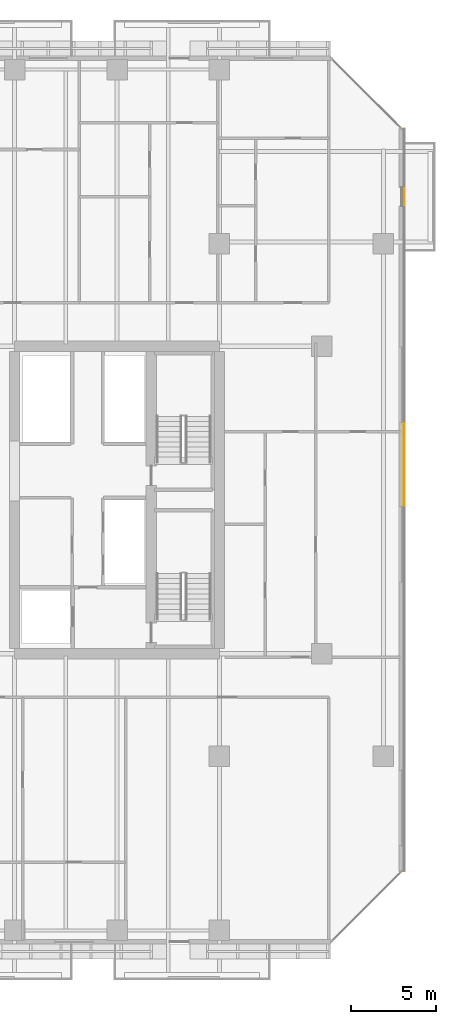
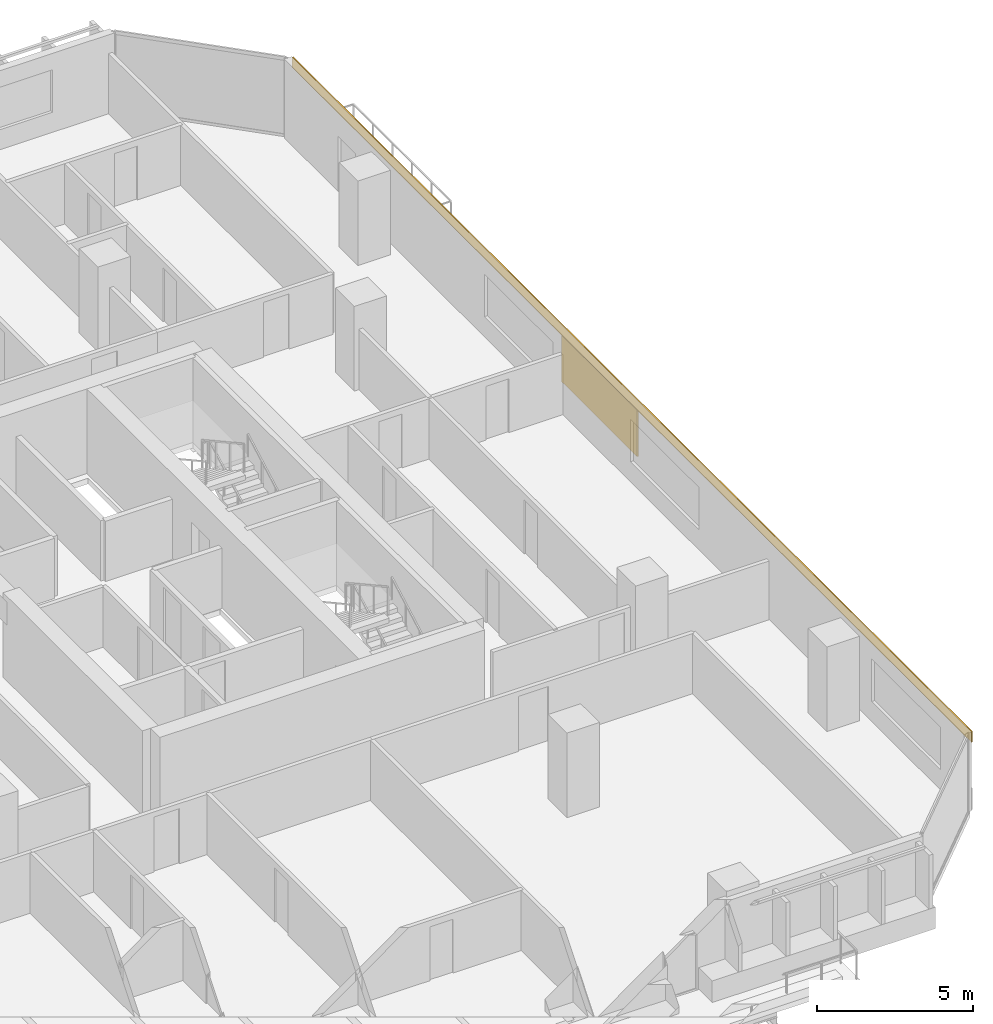
# One storey, part 32 of 33: 2 coverings.
"""IFC4 building model written with IfcOpenShell, lengths in metres."""

import ifcopenshell
import ifcopenshell.guid

model = None  # the IFC model being written
_history = None  # IfcOwnerHistory: only IFC2X3 demands one
_inside = {}  # id of a spatial element -> (the spatial element, [elements in it])
_under = {}  # id of a project, library or spatial element -> (it, [spatial elements below it])
_declared = {}  # id of a project -> (the project, [libraries it declares])
_typed = {}  # id of a type object -> (the type object, [elements of that type])
_made_of = {}  # id of a material, layer set ... -> (it, [elements and type objects made of it])


def new_model(schema):
    """Start an empty IFC model of exactly this schema.

    Asked for "IFC4X3", IfcOpenShell would pick the latest addendum, in which some entities
    have other attributes; the version numbers below select the first issue.
    IFC2X3 requires an IfcOwnerHistory on every rooted entity: one is made here for all.
    """
    global model, _history
    if schema == "IFC4X3":
        model = ifcopenshell.file(schema_version=(4, 3, 0, 0))
    else:
        model = ifcopenshell.file(schema=schema)
    _inside.clear()
    _under.clear()
    _declared.clear()
    _typed.clear()
    _made_of.clear()
    _history = None
    if model.schema == "IFC2X3":
        org = make("IfcOrganization", Name="unknown")
        user = make(
            "IfcPersonAndOrganization",
            ThePerson=make("IfcPerson", FamilyName="unknown"),
            TheOrganization=org,
        )
        app = make(
            "IfcApplication",
            ApplicationDeveloper=org,
            Version="unknown",
            ApplicationFullName="unknown",
            ApplicationIdentifier="unknown",
        )
        _history = make(
            "IfcOwnerHistory",
            OwningUser=user,
            OwningApplication=app,
            ChangeAction="ADDED",
            CreationDate=0,
        )
    return model


def make(cls, **values):
    """One entity of the class cls with the attributes given. An attribute that is None is left unset."""
    return model.create_entity(
        cls, **{name: value for name, value in values.items() if value is not None}
    )


def rooted(cls, **values):
    """An entity with a GlobalId (a new one), such as an element, a storey or a relation."""
    return make(cls, GlobalId=ifcopenshell.guid.new(), OwnerHistory=_history, **values)


def si_unit(unit_type, name, prefix=None):
    """IfcSIUnit, for example si_unit("LENGTHUNIT", "METRE", prefix="MILLI")."""
    return make("IfcSIUnit", UnitType=unit_type, Prefix=prefix, Name=name)


def assignment(units):
    """IfcUnitAssignment: the units of a project."""
    return None if units is None else make("IfcUnitAssignment", Units=units)


def point(xyz):
    """IfcCartesianPoint."""
    return None if xyz is None else make("IfcCartesianPoint", Coordinates=xyz)


def direction(xyz):
    """IfcDirection."""
    return None if xyz is None else make("IfcDirection", DirectionRatios=xyz)


def frame(location, z_axis=None, x_axis=None):
    """IfcAxis2Placement3D, a coordinate frame: its origin and axes. An axis left out is left unset."""
    return make(
        "IfcAxis2Placement3D",
        Location=point(location),
        Axis=direction(z_axis),
        RefDirection=direction(x_axis),
    )


def frame_2d(location, x_axis=None):
    """IfcAxis2Placement2D, a coordinate frame in the plane: its origin and x axis."""
    return make(
        "IfcAxis2Placement2D", Location=point(location), RefDirection=direction(x_axis)
    )


def origin():
    """The frame at (0, 0, 0) with its axes left unset."""
    return frame((0.0, 0.0, 0.0))


def origin_2d():
    """The frame at (0, 0) in the plane with its x axis left unset."""
    return frame_2d((0.0, 0.0))


def place(relative_to, where):
    """IfcLocalPlacement: puts the frame where relative to a parent placement (None: the world)."""
    return make(
        "IfcLocalPlacement", PlacementRelTo=relative_to, RelativePlacement=where
    )


def context(
    kind, dimensions, precision=None, world=None, true_north=None, identifier=None
):
    """IfcGeometricRepresentationContext, for example the 3D "Model" context."""
    return make(
        "IfcGeometricRepresentationContext",
        ContextIdentifier=identifier,
        ContextType=kind,
        CoordinateSpaceDimension=dimensions,
        Precision=precision,
        WorldCoordinateSystem=world,
        TrueNorth=true_north,
    )


def subcontext(parent, identifier, kind, view, scale=None):
    """IfcGeometricRepresentationSubContext, for example "Body" below "Model"."""
    return make(
        "IfcGeometricRepresentationSubContext",
        ContextIdentifier=identifier,
        ContextType=kind,
        ParentContext=parent,
        TargetScale=scale,
        TargetView=view,
    )


def project(units=None, contexts=None):
    """IfcProject with its units and contexts."""
    return rooted(
        "IfcProject",
        Name="project",
        RepresentationContexts=contexts,
        UnitsInContext=assignment(units),
    )


def spatial(cls, under=None, at=None, **own):
    """A site, building, storey or space (cls), placed at a placement, below another one or the project."""
    s = rooted(cls, ObjectPlacement=at, **own)
    if under is not None:
        _under.setdefault(under.id(), (under, []))[1].append(s)
    return s


def profile(cls, at=None, kind="AREA", **sizes):
    """A parametric profile (cls). Its sizes go by their IFC names, for example OverallWidth=200.0."""
    return make(cls, ProfileType=kind, Position=at, **sizes)


def rectangle(**sizes):
    """IfcRectangleProfileDef."""
    return profile("IfcRectangleProfileDef", **sizes)


def extrude(swept, where, along, depth):
    """IfcExtrudedAreaSolid: the profile swept, set in the frame where, extruded along a direction by depth."""
    return make(
        "IfcExtrudedAreaSolid",
        SweptArea=swept,
        Position=where,
        ExtrudedDirection=direction(along),
        Depth=depth,
    )


def shape(context_of_items, identifier, shape_type, items):
    """IfcShapeRepresentation: the items that make up one representation, for example the "Body"."""
    return make(
        "IfcShapeRepresentation",
        ContextOfItems=context_of_items,
        RepresentationIdentifier=identifier,
        RepresentationType=shape_type,
        Items=items,
    )


def material(Name=None, Category=None):
    """IfcMaterial."""
    return make("IfcMaterial", Name=Name, Category=Category)


def layer(
    of_material, thickness, ventilated=None, Name=None, Category=None, Priority=None
):
    """IfcMaterialLayer: one layer of a wall or slab, of a material (None: an air gap)."""
    return make(
        "IfcMaterialLayer",
        Material=of_material,
        LayerThickness=thickness,
        IsVentilated=ventilated,
        Name=Name,
        Category=Category,
        Priority=Priority,
    )


def layer_set(layers, Name=None):
    """IfcMaterialLayerSet."""
    return make("IfcMaterialLayerSet", MaterialLayers=layers, LayerSetName=Name)


def made_of(thing, what):
    """Note that an element or type object is made of a material, layer set ...; save() writes the relation."""
    if what is not None:
        _made_of.setdefault(what.id(), (what, []))[1].append(thing)
    return thing


def type_object(cls, material=None, **own):
    """A type object (cls), such as IfcWallType, which elements share."""
    return made_of(rooted(cls, **own), material)


def element(
    cls,
    number,
    at=None,
    inside=None,
    cuts=None,
    type_object=None,
    material=None,
    context=None,
    identifier="Body",
    shape_type=None,
    held_by="IfcProductDefinitionShape",
    body=None,
    shapes=None,
    **own,
):
    """One element of the class cls, such as IfcWall. Its Tag is "e" and its number.

    at: its placement. inside: the storey or other place that contains it. cuts: it is an
    opening in that element (IfcRelVoidsElement). A single representation is given by context,
    identifier, shape_type and body (its items); several are given by shapes. held_by: the class
    of the entity that holds the representations. save() writes the other relations.
    """
    e = rooted(cls, Tag="e%d" % number, ObjectPlacement=at, **own)
    if body is not None:
        shapes = [shape(context, identifier, shape_type, body)]
    if shapes is not None:
        e.Representation = make(held_by, Representations=shapes)
    if inside is not None:
        _inside.setdefault(inside.id(), (inside, []))[1].append(e)
    if cuts is not None:
        rooted(
            "IfcRelVoidsElement", RelatingBuildingElement=cuts, RelatedOpeningElement=e
        )
    if type_object is not None:
        _typed.setdefault(type_object.id(), (type_object, []))[1].append(e)
    return made_of(e, material)


def aggregate(whole, parts):
    """IfcRelAggregates: a whole, such as a stair, and the parts it consists of."""
    return rooted("IfcRelAggregates", RelatingObject=whole, RelatedObjects=parts)


def save(model, path):
    """Write the relations noted so far, then the file.

    IfcRelAggregates (storeys below a building ...), IfcRelContainedInSpatialStructure (elements
    in a storey), IfcRelDefinesByType, IfcRelAssociatesMaterial and IfcRelDeclares: one each for
    every whole, place, type object, material and project.
    """
    for whole, parts in _under.values():
        aggregate(whole, parts)
    for where, things in _inside.values():
        rooted(
            "IfcRelContainedInSpatialStructure",
            RelatedElements=things,
            RelatingStructure=where,
        )
    for kind, things in _typed.values():
        rooted("IfcRelDefinesByType", RelatedObjects=things, RelatingType=kind)
    for what, things in _made_of.values():
        rooted("IfcRelAssociatesMaterial", RelatedObjects=things, RelatingMaterial=what)
    for by, libraries in _declared.values():
        rooted("IfcRelDeclares", RelatingContext=by, RelatedDefinitions=libraries)
    model.write(path)


model = new_model("IFC4")

# Units and contexts
model_context = context("Model", 3, precision=1e-05, world=origin(), true_north=direction((0.0, 1.0)))
body_context = subcontext(model_context, "Body", "Model", "MODEL_VIEW")
ifc_project = project(units=[si_unit("LENGTHUNIT", "METRE"), si_unit("AREAUNIT", "SQUARE_METRE"), si_unit("VOLUMEUNIT", "CUBIC_METRE"), si_unit("PLANEANGLEUNIT", "RADIAN"), si_unit("MASSUNIT", "GRAM", prefix="KILO")], contexts=[model_context])

# Site, building, storey
site_placement = place(None, origin())
site = spatial("IfcSite", under=ifc_project, at=site_placement, CompositionType="ELEMENT")
building_placement = place(site_placement, origin())
building = spatial("IfcBuilding", under=site, at=building_placement, Name="Tanjung Sevakor Pilgrim Tower", CompositionType="ELEMENT")
storey_placement = place(building_placement, frame((0.0, 0.0, 52.139892578125)))
storey = spatial("IfcBuildingStorey", under=building, at=storey_placement, Name="L14", CompositionType="ELEMENT", Elevation=52.139892578125)

# Coverings
ifc_material = material(Name="Reconstructed Limestone Cladding", Category="masonry")
ifc_layer = layer(ifc_material, 0.044921875)
ifc_layer_set = layer_set([ifc_layer], Name="COV-CLAD-LIMESTONE")
covering_type = type_object("IfcCoveringType", Name="COV-CLAD-LIMESTONE", PredefinedType="CLADDING", material=ifc_layer_set)
covering_1_placement = place(storey_placement, frame((100.822509765625, 33.60009765625, 2.66015625), z_axis=(0.0, 0.0, 1.0), x_axis=(0.0, 1.0, 0.0)))
element("IfcCovering", 1, at=covering_1_placement, inside=storey, type_object=covering_type, Name="L14 Warm Limestone Cornice Spandrel EW-L14-MAIN-7", PredefinedType="CLADDING", context=body_context, shape_type="SweptSolid", body=[
    extrude(rectangle(XDim=43.444091796875, YDim=0.044921875, at=origin_2d()), origin(), (0.0, 0.0, 1.0), 0.409912109375),
])
covering_2_placement = place(storey_placement, frame((100.822509765625, 35.679931640625, 0.85009765625), z_axis=(0.0, 0.0, 1.0), x_axis=(0.0, 1.0, 0.0)))
element("IfcCovering", 2, at=covering_2_placement, inside=storey, type_object=covering_type, Name="L14 Warm Limestone Pier Panel EW-L14-MAIN-7-2", PredefinedType="CLADDING", context=body_context, shape_type="SweptSolid", body=[
    extrude(rectangle(XDim=4.840087890625, YDim=0.044921875, at=origin_2d()), origin(), (0.0, 0.0, 1.0), 1.81005859375),
])

save(model, "model.ifc")
